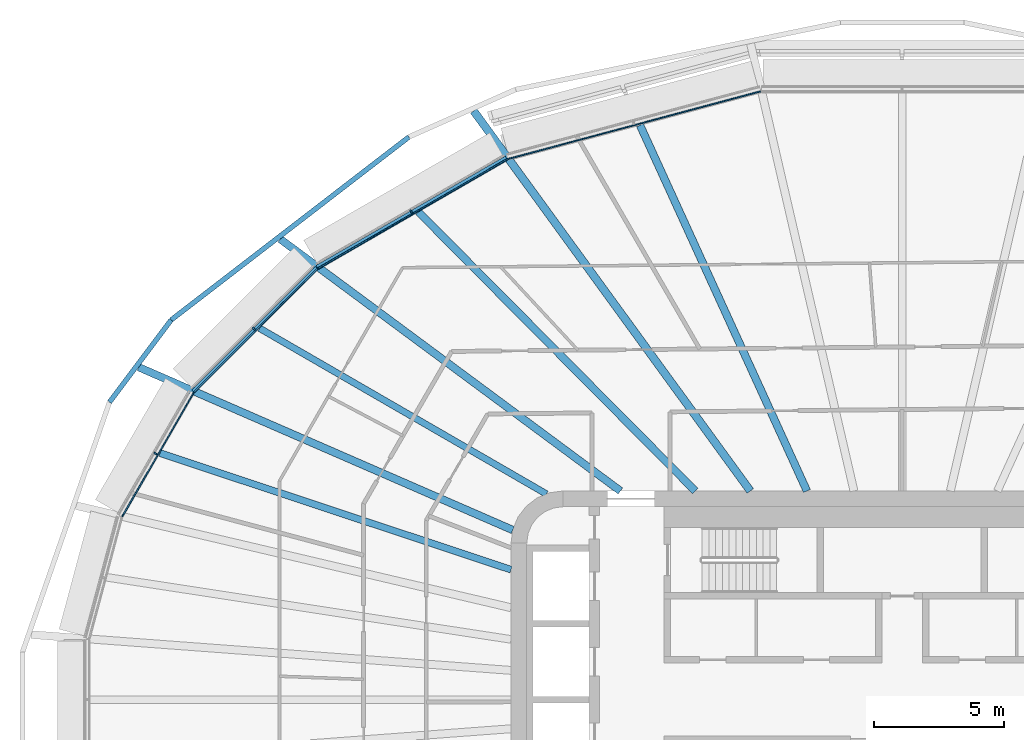
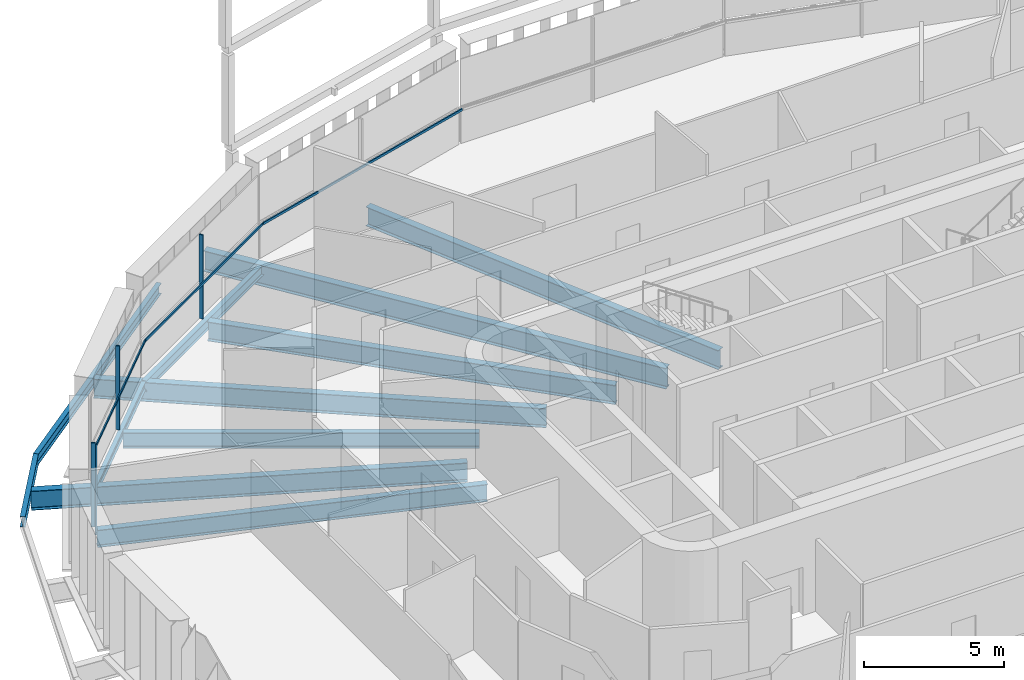
# One storey, part 7 of 28: 11 beams, 7 members, 4 elements without a shape of their own.
"""IFC4 building model written with IfcOpenShell, lengths in metres."""

from ifc_helpers import new_model, si_unit, direction, frame, origin, origin_2d, place, context, subcontext, project, spatial, rectangle, i_section, extrude, material, layer, layer_set, material_profile, profile_set, type_object, element, aggregate, save


model = new_model("IFC4")

# Units and contexts
model_context = context("Model", 3, precision=1e-05, world=origin(), true_north=direction((0.0, 1.0)))
body_context = subcontext(model_context, "Body", "Model", "MODEL_VIEW")
ifc_project = project(units=[si_unit("LENGTHUNIT", "METRE"), si_unit("AREAUNIT", "SQUARE_METRE"), si_unit("VOLUMEUNIT", "CUBIC_METRE"), si_unit("PLANEANGLEUNIT", "RADIAN"), si_unit("MASSUNIT", "GRAM", prefix="KILO")], contexts=[model_context])

# Site, building, storey
site_placement = place(None, origin())
site = spatial("IfcSite", under=ifc_project, at=site_placement, CompositionType="ELEMENT")
building_placement = place(site_placement, origin())
building = spatial("IfcBuilding", under=site, at=building_placement, Name="Sahrelin Media Tower", CompositionType="ELEMENT")
storey_placement = place(building_placement, frame((0.0, 0.0, 75.60009765625)))
storey = spatial("IfcBuildingStorey", under=building, at=storey_placement, Name="L13", CompositionType="ELEMENT", Elevation=75.60009765625)

# Beams
ifc_material_1 = material(Name="Steel S355", Category="steel")
ifc_material_profile_1 = material_profile(ifc_material_1, i_section(OverallWidth=0.17138671875, OverallDepth=0.35498046875, WebThickness=0.00732421875, FlangeThickness=0.011474609375, FilletRadius=0.01025390625, at=origin_2d()), Name="UB 356x171x51")
ifc_profile_set_1 = profile_set([ifc_material_profile_1], Name="Steel S355")
beam_type_1 = type_object("IfcBeamType", Name="Edge beam EB3", PredefinedType="BEAM", material=ifc_profile_set_1)
beam_1_placement = place(storey_placement, frame((-27.188232421875, 11.81103515625, -0.32763671875), z_axis=(0.707106781187, 0.707106781187, 0.0), x_axis=(-0.707106781187, 0.707106781187, 0.0)))
element("IfcBeam", 1, at=beam_1_placement, inside=storey, type_object=beam_type_1, Name="Edge beam L13-15", PredefinedType="BEAM", context=body_context, shape_type="SweptSolid", body=[
    extrude(i_section(OverallWidth=0.17138671875, OverallDepth=0.35498046875, WebThickness=0.00732421875, FlangeThickness=0.011474609375, FilletRadius=0.01025390625, at=origin_2d()), origin(), (0.0, 0.0, 1.0), 6.703369140625),
])
ifc_material_profile_2 = material_profile(ifc_material_1, i_section(OverallWidth=0.1904296875, OverallDepth=0.45703125, WebThickness=0.009033203125, FlangeThickness=0.014404296875, FilletRadius=0.01025390625, at=origin_2d()), Name="UB 457x191x74")
ifc_profile_set_2 = profile_set([ifc_material_profile_2], Name="Steel S355")
beam_type_2 = type_object("IfcBeamType", Name="Edge beam EB5", PredefinedType="BEAM", material=ifc_profile_set_2)
beam_2_placement = place(storey_placement, frame((-22.42529296875, 16.568603515625, -0.378662109375), z_axis=(0.866015700557, 0.500016806107, 0.0), x_axis=(-0.500016806107, 0.866015700557, 0.0)))
element("IfcBeam", 2, at=beam_2_placement, inside=storey, type_object=beam_type_2, Name="Edge beam L13-16", PredefinedType="BEAM", context=body_context, shape_type="SweptSolid", body=[
    extrude(i_section(OverallWidth=0.1904296875, OverallDepth=0.45703125, WebThickness=0.009033203125, FlangeThickness=0.014404296875, FilletRadius=0.01025390625, at=origin_2d()), origin(), (0.0, 0.0, 1.0), 8.376220703125),
])

# Curtain wall, member
ifc_material_2 = material(Name="Champagne anodised aluminium 6063-T6", Category="aluminium")
ifc_layer = layer(ifc_material_2, 0.14990234375)
ifc_layer_set = layer_set([ifc_layer], Name="Tower ribbon curtain wall")
curtain_wall_type = type_object("IfcCurtainWallType", Name="Tower ribbon curtain wall", PredefinedType="NOTDEFINED", material=ifc_layer_set)
curtain_wall_1_placement = place(storey_placement, frame((-18.873291015625, 18.79248046875, 0.0), z_axis=(0.0, 0.0, 1.0), x_axis=(1.0, 0.0, 0.0)))
curtain_wall_1 = element("IfcCurtainWall", 3, at=curtain_wall_1_placement, inside=storey, type_object=curtain_wall_type, Name="L13:CW:L13-08", PredefinedType="NOTDEFINED")
ifc_material_profile_3 = material_profile(ifc_material_2, rectangle(XDim=0.06005859375, YDim=0.14990234375, at=origin_2d()), Name="Mullion 60x150")
ifc_profile_set_3 = profile_set([ifc_material_profile_3], Name="Champagne anodised aluminium 6063-T6")
member_type_1 = type_object("IfcMemberType", Name="Mullion 60x150 CW1", PredefinedType="MULLION", material=ifc_profile_set_3)
member_1_placement = place(storey_placement, frame((-18.82568359375, 18.710205078125, 0.0), z_axis=(0.0, 0.0, 1.0), x_axis=(-0.866022785779, -0.500004534492, 0.0)))
member_1 = element("IfcMember", 4, at=member_1_placement, type_object=member_type_1, Name="L13:CWM:L13-08", PredefinedType="MULLION", context=body_context, shape_type="SweptSolid", body=[
    extrude(rectangle(XDim=0.06005859375, YDim=0.14990234375, at=origin_2d()), origin(), (0.0, 0.0, 1.0), 3.6484375),
])

curtain_wall_2_placement = place(storey_placement, frame((-24.92431640625, 14.287109375, 0.0), z_axis=(0.0, 0.0, 1.0), x_axis=(1.0, 0.0, 0.0)))
curtain_wall_2 = element("IfcCurtainWall", 5, at=curtain_wall_2_placement, inside=storey, type_object=curtain_wall_type, Name="L13:CW:L13-09", PredefinedType="NOTDEFINED")
member_2_placement = place(storey_placement, frame((-24.857177734375, 14.219970703125, 0.0), z_axis=(0.0, 0.0, 1.0), x_axis=(-0.707106781187, -0.707106781187, 0.0)))
member_2 = element("IfcMember", 6, at=member_2_placement, type_object=member_type_1, Name="L13:CWM:L13-09", PredefinedType="MULLION", context=body_context, shape_type="SweptSolid", body=[
    extrude(rectangle(XDim=0.06005859375, YDim=0.14990234375, at=origin_2d()), origin(), (0.0, 0.0, 1.0), 3.6484375),
])

curtain_wall_3_placement = place(storey_placement, frame((-28.711181640625, 9.48046875, 0.0), z_axis=(0.0, 0.0, 1.0), x_axis=(1.0, 0.0, 0.0)))
curtain_wall_3 = element("IfcCurtainWall", 7, at=curtain_wall_3_placement, inside=storey, type_object=curtain_wall_type, Name="L13:CW:L13-10", PredefinedType="NOTDEFINED")
member_3_placement = place(storey_placement, frame((-28.62890625, 9.43310546875, 0.0), z_axis=(0.0, 0.0, 1.0), x_axis=(-0.5, -0.866025403784, 0.0)))
member_3 = element("IfcMember", 8, at=member_3_placement, type_object=member_type_1, Name="L13:CWM:L13-10", PredefinedType="MULLION", context=body_context, shape_type="SweptSolid", body=[
    extrude(rectangle(XDim=0.06005859375, YDim=0.14990234375, at=origin_2d()), origin(), (0.0, 0.0, 1.0), 3.6484375),
])

# Beams
ifc_material_profile_4 = material_profile(ifc_material_1, i_section(OverallWidth=0.291748046875, OverallDepth=0.8349609375, WebThickness=0.013916015625, FlangeThickness=0.018798828125, FilletRadius=0.017822265625, at=origin_2d()), Name="UB 838x292x176")
ifc_profile_set_4 = profile_set([ifc_material_profile_4], Name="Steel S355")
beam_type_3 = type_object("IfcBeamType", Name="Radial primary beam PB10", PredefinedType="BEAM", material=ifc_profile_set_4)
beam_3_placement = place(storey_placement, frame((-10.804931640625, 8.0, -0.567626953125), z_axis=(-0.803688811916, 0.59504982447, 0.0), x_axis=(-0.59504982447, -0.803688811916, 0.0)))
element("IfcBeam", 9, at=beam_3_placement, inside=storey, type_object=beam_type_3, Name="Radial beam L13-09", PredefinedType="BEAM", context=body_context, shape_type="SweptSolid", body=[
    extrude(i_section(OverallWidth=0.291748046875, OverallDepth=0.8349609375, WebThickness=0.013916015625, FlangeThickness=0.018798828125, FilletRadius=0.017822265625, at=origin_2d()), origin(), (0.0, 0.0, 1.0), 16.22998046875),
])
beam_4_placement = place(storey_placement, frame((-14.93408203125, 6.50146484375, -0.567626953125), z_axis=(-0.916883824537, 0.399154171095, 0.0), x_axis=(-0.399154171095, -0.916883824537, 0.0)))
element("IfcBeam", 10, at=beam_4_placement, inside=storey, type_object=beam_type_3, Name="Radial beam L13-10", PredefinedType="BEAM", context=body_context, shape_type="SweptSolid", body=[
    extrude(i_section(OverallWidth=0.291748046875, OverallDepth=0.8349609375, WebThickness=0.013916015625, FlangeThickness=0.018798828125, FilletRadius=0.017822265625, at=origin_2d()), origin(), (0.0, 0.0, 1.0), 15.6396484375),
])
ifc_material_profile_5 = material_profile(ifc_material_1, i_section(OverallWidth=0.30322265625, OverallDepth=0.903076171875, WebThickness=0.01513671875, FlangeThickness=0.020263671875, FilletRadius=0.01904296875, at=origin_2d()), Name="UB 914x305x201")
ifc_profile_set_5 = profile_set([ifc_material_profile_5], Name="Steel S355")
beam_type_4 = type_object("IfcBeamType", Name="Radial primary beam PB11", PredefinedType="BEAM", material=ifc_profile_set_5)
beam_5_placement = place(storey_placement, frame((-5.823486328125, 8.0, -0.6015625), z_axis=(-0.588521920712, 0.808481260662, 0.0), x_axis=(-0.808481260662, -0.588521920712, 0.0)))
element("IfcBeam", 11, at=beam_5_placement, inside=storey, type_object=beam_type_4, Name="Radial beam L13-08", PredefinedType="BEAM", context=body_context, shape_type="SweptSolid", body=[
    extrude(i_section(OverallWidth=0.30322265625, OverallDepth=0.903076171875, WebThickness=0.01513671875, FlangeThickness=0.020263671875, FilletRadius=0.01904296875, at=origin_2d()), origin(), (0.0, 0.0, 1.0), 18.027587890625),
])
ifc_material_profile_6 = material_profile(ifc_material_1, i_section(OverallWidth=0.291748046875, OverallDepth=0.8349609375, WebThickness=0.013916015625, FlangeThickness=0.018798828125, FilletRadius=0.017822265625, at=origin_2d()), Name="UB 838x292x176")
ifc_profile_set_6 = profile_set([ifc_material_profile_6], Name="Steel S355")
beam_type_5 = type_object("IfcBeamType", Name="Radial secondary beam SB10", PredefinedType="BEAM", material=ifc_profile_set_6)
beam_6_placement = place(storey_placement, frame((-3.6513671875, 8.0, -0.567626953125), z_axis=(-0.415194910581, 0.909732480583, 0.0), x_axis=(-0.909732480583, -0.415194910581, 0.0)))
element("IfcBeam", 12, at=beam_6_placement, inside=storey, type_object=beam_type_5, Name="Secondary beam L13-04", PredefinedType="BEAM", context=body_context, shape_type="SweptSolid", body=[
    extrude(i_section(OverallWidth=0.291748046875, OverallDepth=0.8349609375, WebThickness=0.013916015625, FlangeThickness=0.018798828125, FilletRadius=0.017822265625, at=origin_2d()), origin(), (0.0, 0.0, 1.0), 15.416015625),
])
beam_7_placement = place(storey_placement, frame((-7.935546875, 8.0, -0.567626953125), z_axis=(-0.704241258755, 0.709960737976, 0.0), x_axis=(-0.709960737976, -0.704241258755, 0.0)))
element("IfcBeam", 13, at=beam_7_placement, inside=storey, type_object=beam_type_5, Name="Secondary beam L13-05", PredefinedType="BEAM", context=body_context, shape_type="SweptSolid", body=[
    extrude(i_section(OverallWidth=0.291748046875, OverallDepth=0.8349609375, WebThickness=0.013916015625, FlangeThickness=0.018798828125, FilletRadius=0.017822265625, at=origin_2d()), origin(), (0.0, 0.0, 1.0), 15.068115234375),
])
ifc_material_profile_7 = material_profile(ifc_material_1, i_section(OverallWidth=0.2529296875, OverallDepth=0.677978515625, WebThickness=0.01171875, FlangeThickness=0.01611328125, FilletRadius=0.01513671875, at=origin_2d()), Name="UB 686x254x125")
ifc_profile_set_7 = profile_set([ifc_material_profile_7], Name="Steel S355")
beam_type_6 = type_object("IfcBeamType", Name="Radial secondary beam SB8", PredefinedType="BEAM", material=ifc_profile_set_7)
beam_8_placement = place(storey_placement, frame((-13.639404296875, 7.88134765625, -0.489013671875), z_axis=(-0.865849165088, 0.500305130212, 0.0), x_axis=(-0.500305130212, -0.865849165088, 0.0)))
element("IfcBeam", 14, at=beam_8_placement, inside=storey, type_object=beam_type_6, Name="Secondary beam L13-06", PredefinedType="BEAM", context=body_context, shape_type="SweptSolid", body=[
    extrude(i_section(OverallWidth=0.2529296875, OverallDepth=0.677978515625, WebThickness=0.01171875, FlangeThickness=0.01611328125, FilletRadius=0.01513671875, at=origin_2d()), origin(), (0.0, 0.0, 1.0), 12.705078125),
])
ifc_material_profile_8 = material_profile(ifc_material_1, i_section(OverallWidth=0.26513671875, OverallDepth=0.75390625, WebThickness=0.0126953125, FlangeThickness=0.017578125, FilletRadius=0.0166015625, at=origin_2d()), Name="UB 762x267x147")
ifc_profile_set_8 = profile_set([ifc_material_profile_8], Name="Steel S355")
beam_type_7 = type_object("IfcBeamType", Name="Radial secondary beam SB9", PredefinedType="BEAM", material=ifc_profile_set_8)
beam_9_placement = place(storey_placement, frame((-15.0, 4.98095703125, -0.527099609375), z_axis=(-0.949047598581, 0.315132758733, 0.0), x_axis=(-0.315132758733, -0.949047598581, 0.0)))
element("IfcBeam", 15, at=beam_9_placement, inside=storey, type_object=beam_type_7, Name="Secondary beam L13-07", PredefinedType="BEAM", context=body_context, shape_type="SweptSolid", body=[
    extrude(i_section(OverallWidth=0.26513671875, OverallDepth=0.75390625, WebThickness=0.0126953125, FlangeThickness=0.017578125, FilletRadius=0.0166015625, at=origin_2d()), origin(), (0.0, 0.0, 1.0), 14.182861328125),
])
ifc_material_profile_9 = material_profile(ifc_material_1, i_section(OverallWidth=0.1904296875, OverallDepth=0.45703125, WebThickness=0.009033203125, FlangeThickness=0.014404296875, FilletRadius=0.01025390625, at=origin_2d()), Name="UB 457x191x74")
ifc_profile_set_9 = profile_set([ifc_material_profile_9], Name="Steel S355")
beam_type_8 = type_object("IfcBeamType", Name="Tie chord TC5", PredefinedType="BEAM", material=ifc_profile_set_9)
beam_10_placement = place(storey_placement, frame((-18.91259765625, 21.5771484375, -0.378662109375), z_axis=(-0.792438643027, -0.609951634998, 0.0), x_axis=(0.609951634998, -0.792438643027, 0.0)))
element("IfcBeam", 16, at=beam_10_placement, inside=storey, type_object=beam_type_8, Name="Tie chord L13-09", PredefinedType="BEAM", context=body_context, shape_type="SweptSolid", body=[
    extrude(i_section(OverallWidth=0.1904296875, OverallDepth=0.45703125, WebThickness=0.009033203125, FlangeThickness=0.014404296875, FilletRadius=0.01025390625, at=origin_2d()), origin(), (0.0, 0.0, 1.0), 11.509521484375),
])
beam_11_placement = place(storey_placement, frame((-28.033203125, 14.556884765625, -0.378662109375), z_axis=(-0.600069455964, -0.799947903316, 0.0), x_axis=(0.799947903316, -0.600069455964, 0.0)))
element("IfcBeam", 17, at=beam_11_placement, inside=storey, type_object=beam_type_8, Name="Tie chord L13-10", PredefinedType="BEAM", context=body_context, shape_type="SweptSolid", body=[
    extrude(i_section(OverallWidth=0.1904296875, OverallDepth=0.45703125, WebThickness=0.009033203125, FlangeThickness=0.014404296875, FilletRadius=0.01025390625, at=origin_2d()), origin(), (0.0, 0.0, 1.0), 3.936767578125),
])

# Curtain wall, member
curtain_wall_4_placement = place(storey_placement, frame((-10.32666015625, 22.214111328125, 0.0), z_axis=(0.0, 0.0, 1.0), x_axis=(1.0, 0.0, 0.0)))
curtain_wall_4 = element("IfcCurtainWall", 18, at=curtain_wall_4_placement, inside=storey, type_object=curtain_wall_type, Name="L13:CW:L13-07", PredefinedType="NOTDEFINED")
ifc_material_profile_10 = material_profile(ifc_material_2, rectangle(XDim=0.050048828125, YDim=0.10009765625, at=origin_2d()), Name="Transom 50x100")
ifc_profile_set_10 = profile_set([ifc_material_profile_10], Name="Champagne anodised aluminium 6063-T6")
member_type_2 = type_object("IfcMemberType", Name="Transom 50x100 CW1", PredefinedType="USERDEFINED", material=ifc_profile_set_10)
member_4_placement = place(storey_placement, frame((-5.434326171875, 23.322998046875, 1.599853515625), z_axis=(-0.965931529301, -0.258797760233, 0.0), x_axis=(0.258797760233, -0.965931529301, 0.0)))
member_4 = element("IfcMember", 19, at=member_4_placement, type_object=member_type_2, Name="L13:CWT:L13-07", ObjectType="TRANSOM", PredefinedType="USERDEFINED", context=body_context, shape_type="SweptSolid", body=[
    extrude(rectangle(XDim=0.050048828125, YDim=0.10009765625, at=origin_2d()), origin(), (0.0, 0.0, 1.0), 10.025146484375),
])
aggregate(curtain_wall_4, [member_4])

# Member
member_5_placement = place(storey_placement, frame((-15.162353515625, 20.7099609375, 1.599853515625), z_axis=(-0.866021890525, -0.500006085094, 0.0), x_axis=(0.500006085094, -0.866021890525, 0.0)))
member_5 = element("IfcMember", 20, at=member_5_placement, type_object=member_type_2, Name="L13:CWT:L13-08", ObjectType="TRANSOM", PredefinedType="USERDEFINED", context=body_context, shape_type="SweptSolid", body=[
    extrude(rectangle(XDim=0.050048828125, YDim=0.10009765625, at=origin_2d()), origin(), (0.0, 0.0, 1.0), 8.34521484375),
])

aggregate(curtain_wall_1, [member_1, member_5])

member_6_placement = place(storey_placement, frame((-22.427490234375, 16.508056640625, 1.599853515625), z_axis=(-0.707106781187, -0.707106781187, 0.0), x_axis=(0.707106781187, -0.707106781187, 0.0)))
member_6 = element("IfcMember", 21, at=member_6_placement, type_object=member_type_2, Name="L13:CWT:L13-09", ObjectType="TRANSOM", PredefinedType="USERDEFINED", context=body_context, shape_type="SweptSolid", body=[
    extrude(rectangle(XDim=0.050048828125, YDim=0.10009765625, at=origin_2d()), origin(), (0.0, 0.0, 1.0), 6.671875),
])

aggregate(curtain_wall_2, [member_2, member_6])

member_7_placement = place(storey_placement, frame((-27.174560546875, 11.752197265625, 1.599853515625), z_axis=(-0.499992837287, -0.866029539139, 0.0), x_axis=(0.866029539139, -0.499992837287, 0.0)))
member_7 = element("IfcMember", 22, at=member_7_placement, type_object=member_type_2, Name="L13:CWT:L13-10", ObjectType="TRANSOM", PredefinedType="USERDEFINED", context=body_context, shape_type="SweptSolid", body=[
    extrude(rectangle(XDim=0.050048828125, YDim=0.10009765625, at=origin_2d()), origin(), (0.0, 0.0, 1.0), 5.47119140625),
])

aggregate(curtain_wall_3, [member_3, member_7])

save(model, "model.ifc")
